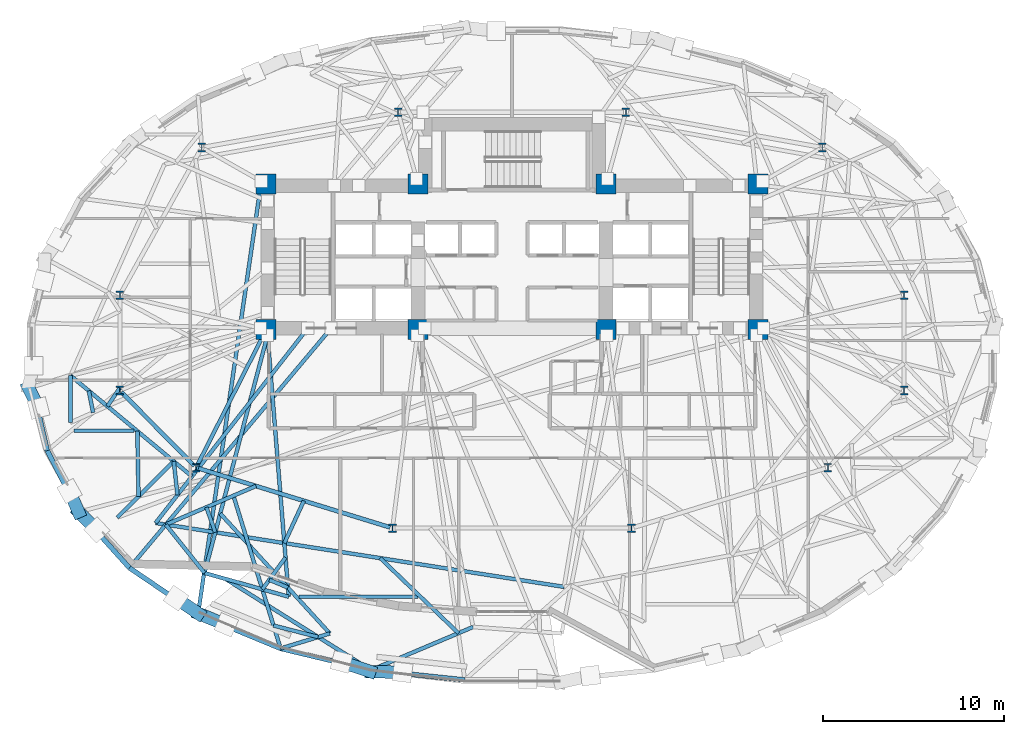
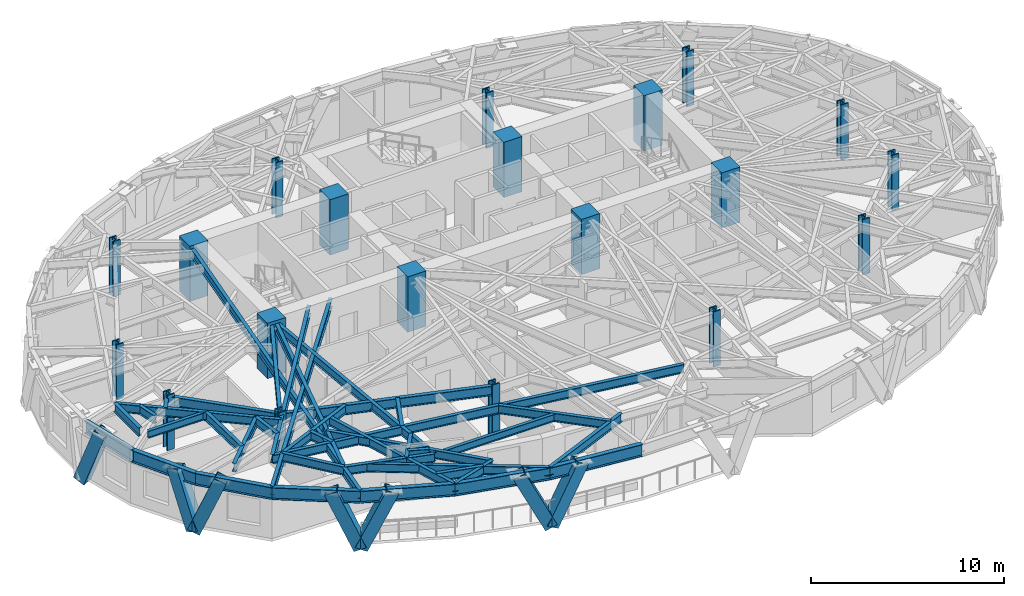
# One storey, part 1 of 15: 39 beams, 20 columns, 7 members.
"""IFC4 building model written with IfcOpenShell, lengths in metres."""

from ifc_helpers import new_model, si_unit, direction, frame, origin, origin_2d, place, context, subcontext, project, spatial, rectangle, hollow_rectangle, i_section, extrude, material, material_profile, profile_set, type_object, element, save


model = new_model("IFC4")

# Units and contexts
model_context = context("Model", 3, precision=1e-05, world=origin(), true_north=direction((0.0, 1.0)))
body_context = subcontext(model_context, "Body", "Model", "MODEL_VIEW")
ifc_project = project(units=[si_unit("LENGTHUNIT", "METRE"), si_unit("AREAUNIT", "SQUARE_METRE"), si_unit("VOLUMEUNIT", "CUBIC_METRE"), si_unit("PLANEANGLEUNIT", "RADIAN"), si_unit("MASSUNIT", "GRAM", prefix="KILO")], contexts=[model_context])

# Site, building, storey
site_placement = place(None, origin())
site = spatial("IfcSite", under=ifc_project, at=site_placement, CompositionType="ELEMENT")
building_placement = place(site_placement, origin())
building = spatial("IfcBuilding", under=site, at=building_placement, Name="Keldmark Tower", CompositionType="ELEMENT")
storey_placement = place(building_placement, frame((0.0, 0.0, 114.10009765625)))
storey = spatial("IfcBuildingStorey", under=building, at=storey_placement, Name="L30", CompositionType="ELEMENT", Elevation=114.10009765625)

# Columns
ifc_material_1 = material(Name="Concrete C70/85", Category="concrete")
ifc_material_profile_1 = material_profile(ifc_material_1, rectangle(XDim=1.10009765625, YDim=1.10009765625, at=origin_2d()), Name="RC1100X1100")
ifc_profile_set_1 = profile_set([ifc_material_profile_1], Name="Concrete C70/85")
column_type_1 = type_object("IfcColumnType", Name="Core Boundary Column RC1100", PredefinedType="COLUMN", material=ifc_profile_set_1)
for number, where, z_axis, x_axis, name in (
    (1, (-13.60009765625, 1.39990234375, 0.0), (0.0, 0.0, 1.0), (1.0, 0.0, 0.0), "L30 Core Boundary Column CC-W1"),
    (2, (-13.60009765625, 9.449951171875, 0.0), (0.0, 0.0, 1.0), (1.0, 0.0, 0.0), "L30 Core Boundary Column CC-W2"),
    (3, (-5.199951171875, 1.39990234375, 0.0), (0.0, 0.0, 1.0), (1.0, 0.0, 0.0), "L30 Core Boundary Column CC-W3"),
    (4, (-5.199951171875, 9.449951171875, 0.0), (0.0, 0.0, 1.0), (1.0, 0.0, 0.0), "L30 Core Boundary Column CC-W4"),
    (5, (5.199951171875, 1.39990234375, 0.0), (0.0, 0.0, 1.0), (1.0, 0.0, 0.0), "L30 Core Boundary Column CC-E1"),
    (6, (5.199951171875, 9.449951171875, 0.0), (0.0, 0.0, 1.0), (1.0, 0.0, 0.0), "L30 Core Boundary Column CC-E2"),
    (7, (13.60009765625, 1.39990234375, 0.0), (0.0, 0.0, 1.0), (1.0, 0.0, 0.0), "L30 Core Boundary Column CC-E3"),
    (8, (13.60009765625, 9.449951171875, 0.0), (0.0, 0.0, 1.0), (1.0, 0.0, 0.0), "L30 Core Boundary Column CC-E4"),
):
    element("IfcColumn", number, at=place(storey_placement, frame(where, z_axis=z_axis, x_axis=x_axis)), inside=storey, type_object=column_type_1, Name=name, PredefinedType="COLUMN", context=body_context, shape_type="SweptSolid", body=[
        extrude(rectangle(XDim=1.10009765625, YDim=1.10009765625, at=origin_2d()), origin(), (0.0, 0.0, 1.0), 3.5),
    ])
ifc_material_2 = material(Name="Steel ASTM A992 Grade 50", Category="steel")
ifc_material_profile_2 = material_profile(ifc_material_2, i_section(OverallWidth=0.424072265625, OverallDepth=0.47412109375, WebThickness=0.047607421875, FlangeThickness=0.0771484375, at=origin_2d()), Name="W14X426")
ifc_profile_set_2 = profile_set([ifc_material_profile_2], Name="Steel ASTM A992 Grade 50")
column_type_2 = type_object("IfcColumnType", Name="Tower Gravity Column W14X426", PredefinedType="COLUMN", material=ifc_profile_set_2)
for number, where, z_axis, x_axis, name in (
    (9, (21.697021484375, 3.309814453125, 0.0), (0.0, 0.0, 1.0), (1.0, 0.0, 0.0), "L30 Tower Gravity Column TC-E1"),
    (10, (17.1669921875, 11.478271484375, 0.0), (0.0, 0.0, 1.0), (1.0, 0.0, 0.0), "L30 Tower Gravity Column TC-E4"),
    (11, (6.298828125, 13.4326171875, 0.0), (0.0, 0.0, 1.0), (1.0, 0.0, 0.0), "L30 Tower Gravity Column TC-N2"),
    (12, (-6.298828125, 13.4326171875, 0.0), (0.0, 0.0, 1.0), (1.0, 0.0, 0.0), "L30 Tower Gravity Column TC-N1"),
    (13, (-17.1669921875, 11.478271484375, 0.0), (0.0, 0.0, 1.0), (1.0, 0.0, 0.0), "L30 Tower Gravity Column TC-W4"),
    (14, (-21.697021484375, 3.309814453125, 0.0), (0.0, 0.0, 1.0), (1.0, 0.0, 0.0), "L30 Tower Gravity Column TC-W1"),
    (15, (-21.697021484375, -1.9658203125, 0.0), (0.0, 0.0, 1.0), (1.0, 0.0, 0.0), "L30 Tower Gravity Column TC-W5"),
    (16, (-17.477294921875, -6.2294921875, 0.0), (0.0, 0.0, 1.0), (1.0, 0.0, 0.0), "L30 Tower Gravity Column TC-W2"),
    (17, (-6.61279296875, -9.579345703125, 0.0), (0.0, 0.0, 1.0), (1.0, 0.0, 0.0), "L30 Tower Gravity Column TC-W3"),
    (18, (6.61279296875, -9.579345703125, 0.0), (0.0, 0.0, 1.0), (1.0, 0.0, 0.0), "L30 Tower Gravity Column TC-E3"),
    (19, (17.477294921875, -6.2294921875, 0.0), (0.0, 0.0, 1.0), (1.0, 0.0, 0.0), "L30 Tower Gravity Column TC-E2"),
    (20, (21.697021484375, -1.9658203125, 0.0), (0.0, 0.0, 1.0), (1.0, 0.0, 0.0), "L30 Tower Gravity Column TC-E5"),
):
    element("IfcColumn", number, at=place(storey_placement, frame(where, z_axis=z_axis, x_axis=x_axis)), inside=storey, type_object=column_type_2, Name=name, PredefinedType="COLUMN", context=body_context, shape_type="SweptSolid", body=[
        extrude(i_section(OverallWidth=0.424072265625, OverallDepth=0.47412109375, WebThickness=0.047607421875, FlangeThickness=0.0771484375, at=origin_2d()), origin(), (0.0, 0.0, 1.0), 3.5),
    ])

# Beams
ifc_material_3 = material(Name="Steel ASTM A992 Grade 50", Category="steel")
ifc_material_profile_3 = material_profile(ifc_material_3, i_section(OverallWidth=0.19091796875, OverallDepth=0.45703125, WebThickness=0.009033203125, FlangeThickness=0.014404296875, at=origin_2d()), Name="W18X50")
ifc_profile_set_3 = profile_set([ifc_material_profile_3], Name="Steel ASTM A992 Grade 50")
beam_type_1 = type_object("IfcBeamType", Name="Composite Floor Joist W18X50", PredefinedType="JOIST", material=ifc_profile_set_3)
beam_1_placement = place(storey_placement, frame((-11.796875, -13.3798828125, 3.081298828125), z_axis=(1.0, 0.0, 0.0), x_axis=(0.0, 1.0, 0.0)))
element("IfcBeam", 21, at=beam_1_placement, inside=storey, type_object=beam_type_1, Name="L30 Composite Floor Joist J01", PredefinedType="JOIST", context=body_context, shape_type="SweptSolid", body=[
    extrude(i_section(OverallWidth=0.19091796875, OverallDepth=0.45703125, WebThickness=0.009033203125, FlangeThickness=0.014404296875, at=origin_2d()), origin(), (0.0, 0.0, 1.0), 6.59912109375),
])
beam_2_placement = place(storey_placement, frame((-24.223876953125, -4.179931640625, 3.081298828125), z_axis=(1.0, 0.0, 0.0), x_axis=(0.0, 1.0, 0.0)))
element("IfcBeam", 22, at=beam_2_placement, inside=storey, type_object=beam_type_1, Name="L30 Composite Floor Joist J05", PredefinedType="JOIST", context=body_context, shape_type="SweptSolid", body=[
    extrude(i_section(OverallWidth=0.19091796875, OverallDepth=0.45703125, WebThickness=0.009033203125, FlangeThickness=0.014404296875, at=origin_2d()), origin(), (0.0, 0.0, 1.0), 3.306884765625),
])

# Members
ifc_material_4 = material(Name="Steel ASTM A572 Grade 50", Category="steel")
ifc_material_profile_4 = material_profile(ifc_material_4, hollow_rectangle(XDim=0.699951171875, YDim=0.699951171875, WallThickness=0.044921875, at=origin_2d()), Name="BOX700X700X45")
ifc_profile_set_4 = profile_set([ifc_material_profile_4], Name="Steel ASTM A572 Grade 50")
member_type = type_object("IfcMemberType", Name="Diagrid Zone 2 Brace BOX700X700X45", PredefinedType="BRACE", material=ifc_profile_set_4)
member_1_placement = place(storey_placement, frame((-26.7607421875, -1.784912109375, -0.27001953125), z_axis=(0.153662842011, -0.312352965982, 0.937455788626), x_axis=(0.897296912259, 0.441427515285, 0.0)))
element("IfcMember", 23, at=member_1_placement, inside=storey, type_object=member_type, Name="L30 Perimeter Diagrid Brace 09A", PredefinedType="BRACE", context=body_context, shape_type="SweptSolid", body=[
    extrude(hollow_rectangle(XDim=0.699951171875, YDim=0.699951171875, WallThickness=0.044921875, at=origin_2d()), origin(), (0.0, 0.0, 1.0), 3.69091796875),
])
member_2_placement = place(storey_placement, frame((-23.97900390625, -8.692626953125, -0.27001953125), z_axis=(-0.136516913065, 0.315115495934, 0.939183345609), x_axis=(-0.91759082275, -0.397526202916, 0.0)))
element("IfcMember", 24, at=member_2_placement, inside=storey, type_object=member_type, Name="L30 Perimeter Diagrid Brace 09B", PredefinedType="BRACE", context=body_context, shape_type="SweptSolid", body=[
    extrude(hollow_rectangle(XDim=0.699951171875, YDim=0.699951171875, WallThickness=0.044921875, at=origin_2d()), origin(), (0.0, 0.0, 1.0), 3.68408203125),
])
member_3_placement = place(storey_placement, frame((-23.9833984375, -8.681640625, -0.27001953125), z_axis=(0.270953589184, -0.267691446285, 0.924621783268), x_axis=(0.702811511408, 0.711376116714, 0.0)))
element("IfcMember", 25, at=member_3_placement, inside=storey, type_object=member_type, Name="L30 Perimeter Diagrid Brace 10A", PredefinedType="BRACE", context=body_context, shape_type="SweptSolid", body=[
    extrude(hollow_rectangle(XDim=0.699951171875, YDim=0.699951171875, WallThickness=0.044921875, at=origin_2d()), origin(), (0.0, 0.0, 1.0), 3.741943359375),
])
member_4_placement = place(storey_placement, frame((-17.32861328125, -14.31494140625, -0.27001953125), z_axis=(-0.333190899241, 0.227765450983, 0.914935366024), x_axis=(-0.564334068534, -0.825546521458, 0.0)))
element("IfcMember", 26, at=member_4_placement, inside=storey, type_object=member_type, Name="L30 Perimeter Diagrid Brace 10B", PredefinedType="BRACE", context=body_context, shape_type="SweptSolid", body=[
    extrude(hollow_rectangle(XDim=0.699951171875, YDim=0.699951171875, WallThickness=0.044921875, at=origin_2d()), origin(), (0.0, 0.0, 1.0), 3.78173828125),
])
member_5_placement = place(storey_placement, frame((-17.3369140625, -14.306640625, -0.27001953125), z_axis=(0.398524163203, -0.163281552325, 0.902506302479), x_axis=(0.379127945729, 0.925344260677, 0.0)))
element("IfcMember", 27, at=member_5_placement, inside=storey, type_object=member_type, Name="L30 Perimeter Diagrid Brace 11A", PredefinedType="BRACE", context=body_context, shape_type="SweptSolid", body=[
    extrude(hollow_rectangle(XDim=0.699951171875, YDim=0.699951171875, WallThickness=0.044921875, at=origin_2d()), origin(), (0.0, 0.0, 1.0), 3.833740234375),
])
member_6_placement = place(storey_placement, frame((-7.833740234375, -17.517822265625, -0.27001953125), z_axis=(-0.416930348672, 0.138934527864, 0.898257358068), x_axis=(-0.316141229693, -0.948712139107, 0.0)))
element("IfcMember", 28, at=member_6_placement, inside=storey, type_object=member_type, Name="L30 Perimeter Diagrid Brace 11B", PredefinedType="BRACE", context=body_context, shape_type="SweptSolid", body=[
    extrude(hollow_rectangle(XDim=0.699951171875, YDim=0.699951171875, WallThickness=0.044921875, at=origin_2d()), origin(), (0.0, 0.0, 1.0), 3.851806640625),
])
member_7_placement = place(storey_placement, frame((-7.844482421875, -17.51318359375, -0.27001953125), z_axis=(0.45957172828, -0.011780676973, 0.888062521569), x_axis=(0.02562561531, 0.99967161, 0.0)))
element("IfcMember", 29, at=member_7_placement, inside=storey, type_object=member_type, Name="L30 Perimeter Diagrid Brace 12A", PredefinedType="BRACE", context=body_context, shape_type="SweptSolid", body=[
    extrude(hollow_rectangle(XDim=0.699951171875, YDim=0.699951171875, WallThickness=0.044921875, at=origin_2d()), origin(), (0.0, 0.0, 1.0), 3.89599609375),
])

# Beams
ifc_material_5 = material(Name="Steel ASTM A992 Grade 50", Category="steel")
ifc_material_profile_5 = material_profile(ifc_material_5, i_section(OverallWidth=0.22900390625, OverallDepth=0.612060546875, WebThickness=0.011962890625, FlangeThickness=0.01953125, at=origin_2d()), Name="W24X84")
ifc_profile_set_5 = profile_set([ifc_material_profile_5], Name="Steel ASTM A992 Grade 50")
beam_type_2 = type_object("IfcBeamType", Name="Primary Floor Girder W24X84", PredefinedType="BEAM", material=ifc_profile_set_5)
beam_3_placement = place(storey_placement, frame((-21.598388671875, -2.0654296875, 3.00390625), z_axis=(0.703425791323, -0.71076870788, 0.0), x_axis=(0.71076870788, 0.703425791323, 0.0)))
element("IfcBeam", 30, at=beam_3_placement, inside=storey, type_object=beam_type_2, Name="L30 Floor Ring Girder FG-R07", PredefinedType="BEAM", context=body_context, shape_type="SweptSolid", body=[
    extrude(i_section(OverallWidth=0.22900390625, OverallDepth=0.612060546875, WebThickness=0.011962890625, FlangeThickness=0.01953125, at=origin_2d()), origin(), (0.0, 0.0, 1.0), 5.71875),
])
beam_4_placement = place(storey_placement, frame((-17.343505859375, -6.270751953125, 3.00390625), z_axis=(0.955607954968, -0.294641199432, 0.0), x_axis=(0.294641199432, 0.955607954968, 0.0)))
element("IfcBeam", 31, at=beam_4_placement, inside=storey, type_object=beam_type_2, Name="L30 Floor Ring Girder FG-R08", PredefinedType="BEAM", context=body_context, shape_type="SweptSolid", body=[
    extrude(i_section(OverallWidth=0.22900390625, OverallDepth=0.612060546875, WebThickness=0.011962890625, FlangeThickness=0.01953125, at=origin_2d()), origin(), (0.0, 0.0, 1.0), 11.089111328125),
])
ifc_material_6 = material(Name="Steel ASTM A992 Grade 50", Category="steel")
ifc_material_profile_6 = material_profile(ifc_material_6, i_section(OverallWidth=0.2099609375, OverallDepth=0.537109375, WebThickness=0.010986328125, FlangeThickness=0.017333984375, at=origin_2d()), Name="W21X68")
ifc_profile_set_6 = profile_set([ifc_material_profile_6], Name="Steel ASTM A992 Grade 50")
beam_type_3 = type_object("IfcBeamType", Name="Radial Tie Girder W21X68", PredefinedType="BEAM", material=ifc_profile_set_6)
beam_5_placement = place(storey_placement, frame((-17.413818359375, -6.104736328125, 3.04150390625), z_axis=(0.453028637759, 0.891495963743, 0.0), x_axis=(-0.891495963743, 0.453028637759, 0.0)))
element("IfcBeam", 32, at=beam_5_placement, inside=storey, type_object=beam_type_3, Name="L30 Floor Radial Girder FG-C08", PredefinedType="BEAM", context=body_context, shape_type="SweptSolid", body=[
    extrude(i_section(OverallWidth=0.2099609375, OverallDepth=0.537109375, WebThickness=0.010986328125, FlangeThickness=0.017333984375, at=origin_2d()), origin(), (0.0, 0.0, 1.0), 8.09814453125),
])
beam_6_placement = place(storey_placement, frame((-24.421875, -1.143798828125, 3.04150390625), z_axis=(0.769460200638, -0.638694762491, 0.0), x_axis=(0.638694762491, 0.769460200638, 0.0)))
element("IfcBeam", 33, at=beam_6_placement, inside=storey, type_object=beam_type_3, Name="L30 Framing Pin Header PH-010", PredefinedType="BEAM", context=body_context, shape_type="SweptSolid", body=[
    extrude(i_section(OverallWidth=0.2099609375, OverallDepth=0.537109375, WebThickness=0.010986328125, FlangeThickness=0.017333984375, at=origin_2d()), origin(), (0.0, 0.0, 1.0), 8.728271484375),
])
beam_7_placement = place(storey_placement, frame((-11.30712890625, 1.47509765625, 3.04150390625), z_axis=(-0.615494248567, -0.788141376899, 0.0), x_axis=(0.788141376899, -0.615494248567, 0.0)))
element("IfcBeam", 34, at=beam_7_placement, inside=storey, type_object=beam_type_3, Name="L30 Sub-Ring Step Girder STP2-M08", PredefinedType="BEAM", context=body_context, shape_type="SweptSolid", body=[
    extrude(i_section(OverallWidth=0.2099609375, OverallDepth=0.537109375, WebThickness=0.010986328125, FlangeThickness=0.017333984375, at=origin_2d()), origin(), (0.0, 0.0, 1.0), 13.66455078125),
])
beam_8_placement = place(storey_placement, frame((-19.717529296875, -9.29443359375, 3.04150390625), z_axis=(0.987987449972, -0.154534134409, 0.0), x_axis=(0.154534134409, 0.987987449972, 0.0)))
element("IfcBeam", 35, at=beam_8_placement, inside=storey, type_object=beam_type_3, Name="L30 Perimeter Collector Ring Beam CRG2-M08", PredefinedType="BEAM", context=body_context, shape_type="SweptSolid", body=[
    extrude(i_section(OverallWidth=0.2099609375, OverallDepth=0.537109375, WebThickness=0.010986328125, FlangeThickness=0.017333984375, at=origin_2d()), origin(), (0.0, 0.0, 1.0), 22.874755859375),
])
beam_9_placement = place(storey_placement, frame((-21.697021484375, -1.825927734375, 3.04150390625), z_axis=(-0.563758723097, -0.825939526922, 0.0), x_axis=(0.825939526922, -0.563758723097, 0.0)))
element("IfcBeam", 36, at=beam_9_placement, inside=storey, type_object=beam_type_3, Name="L30 Framing Pin Header PH-027", PredefinedType="BEAM", context=body_context, shape_type="SweptSolid", body=[
    extrude(i_section(OverallWidth=0.2099609375, OverallDepth=0.537109375, WebThickness=0.010986328125, FlangeThickness=0.017333984375, at=origin_2d()), origin(), (0.0, 0.0, 1.0), 1.220703125),
])
beam_10_placement = place(storey_placement, frame((-24.421875, -1.143798828125, 3.04150390625), z_axis=(-0.004507419701, -0.999989841532, 0.0), x_axis=(0.999989841532, -0.004507419701, 0.0)))
element("IfcBeam", 37, at=beam_10_placement, inside=storey, type_object=beam_type_3, Name="L30 Local Collector Chord RT-18C", PredefinedType="BEAM", context=body_context, shape_type="SweptSolid", body=[
    extrude(i_section(OverallWidth=0.2099609375, OverallDepth=0.537109375, WebThickness=0.010986328125, FlangeThickness=0.017333984375, at=origin_2d()), origin(), (0.0, 0.0, 1.0), 2.599853515625),
])
beam_11_placement = place(storey_placement, frame((-23.41455078125, -1.97998046875, 3.04150390625), z_axis=(0.194128744335, -0.980976060168, 0.0), x_axis=(0.980976060168, 0.194128744335, 0.0)))
element("IfcBeam", 38, at=beam_11_placement, inside=storey, type_object=beam_type_3, Name="L30 Framing Pin Header PH-028", PredefinedType="BEAM", context=body_context, shape_type="SweptSolid", body=[
    extrude(i_section(OverallWidth=0.2099609375, OverallDepth=0.537109375, WebThickness=0.010986328125, FlangeThickness=0.017333984375, at=origin_2d()), origin(), (0.0, 0.0, 1.0), 1.228759765625),
])
beam_12_placement = place(storey_placement, frame((-18.713134765625, -5.882080078125, 3.04150390625), z_axis=(0.10924527601, -0.994014823667, 0.0), x_axis=(0.994014823667, 0.10924527601, 0.0)))
element("IfcBeam", 39, at=beam_12_placement, inside=storey, type_object=beam_type_3, Name="L30 Framing Pin Header PH-029", PredefinedType="BEAM", context=body_context, shape_type="SweptSolid", body=[
    extrude(i_section(OverallWidth=0.2099609375, OverallDepth=0.537109375, WebThickness=0.010986328125, FlangeThickness=0.017333984375, at=origin_2d()), origin(), (0.0, 0.0, 1.0), 1.875),
])
beam_13_placement = place(storey_placement, frame((-18.713134765625, -5.882080078125, 3.04150390625), z_axis=(-0.708962149773, -0.705246531497, 0.0), x_axis=(0.705246531497, -0.708962149773, 0.0)))
element("IfcBeam", 40, at=beam_13_placement, inside=storey, type_object=beam_type_3, Name="L30 Local Collector Chord RT-19C", PredefinedType="BEAM", context=body_context, shape_type="SweptSolid", body=[
    extrude(i_section(OverallWidth=0.2099609375, OverallDepth=0.537109375, WebThickness=0.010986328125, FlangeThickness=0.017333984375, at=origin_2d()), origin(), (0.0, 0.0, 1.0), 4.40234375),
])
beam_14_placement = place(storey_placement, frame((-20.72802734375, -4.209716796875, 3.04150390625), z_axis=(0.018181270614, -0.999834707039, 0.0), x_axis=(0.999834707039, 0.018181270614, 0.0)))
element("IfcBeam", 41, at=beam_14_placement, inside=storey, type_object=beam_type_3, Name="L30 Framing Pin Header PH-030", PredefinedType="BEAM", context=body_context, shape_type="SweptSolid", body=[
    extrude(i_section(OverallWidth=0.2099609375, OverallDepth=0.537109375, WebThickness=0.010986328125, FlangeThickness=0.017333984375, at=origin_2d()), origin(), (0.0, 0.0, 1.0), 3.612060546875),
])
beam_15_placement = place(storey_placement, frame((-14.164306640625, -7.2509765625, 3.04150390625), z_axis=(-0.919479998912, -0.393136784847, 0.0), x_axis=(0.393136784847, -0.919479998912, 0.0)))
element("IfcBeam", 42, at=beam_15_placement, inside=storey, type_object=beam_type_3, Name="L30 Framing Pin Header PH-031", PredefinedType="BEAM", context=body_context, shape_type="SweptSolid", body=[
    extrude(i_section(OverallWidth=0.2099609375, OverallDepth=0.537109375, WebThickness=0.010986328125, FlangeThickness=0.017333984375, at=origin_2d()), origin(), (0.0, 0.0, 1.0), 5.42333984375),
])
beam_16_placement = place(storey_placement, frame((-10.0107421875, 1.47509765625, 3.04150390625), z_axis=(-0.64398772451, -0.765035823135, 0.0), x_axis=(0.765035823135, -0.64398772451, 0.0)))
element("IfcBeam", 43, at=beam_16_placement, inside=storey, type_object=beam_type_3, Name="L30 Perimeter Radial Tie Girder RT-20", PredefinedType="BEAM", context=body_context, shape_type="SweptSolid", body=[
    extrude(i_section(OverallWidth=0.2099609375, OverallDepth=0.537109375, WebThickness=0.010986328125, FlangeThickness=0.017333984375, at=origin_2d()), origin(), (0.0, 0.0, 1.0), 17.321044921875),
])
beam_17_placement = place(storey_placement, frame((-16.906982421875, -8.423583984375, 3.04150390625), z_axis=(0.333791862821, -0.942646801466, 0.0), x_axis=(0.942646801466, 0.333791862821, 0.0)))
element("IfcBeam", 44, at=beam_17_placement, inside=storey, type_object=beam_type_3, Name="L30 Framing Pin Header PH-032", PredefinedType="BEAM", context=body_context, shape_type="SweptSolid", body=[
    extrude(i_section(OverallWidth=0.2099609375, OverallDepth=0.537109375, WebThickness=0.010986328125, FlangeThickness=0.017333984375, at=origin_2d()), origin(), (0.0, 0.0, 1.0), 1.4716796875),
])
beam_18_placement = place(storey_placement, frame((-13.52490234375, 1.10009765625, 3.04150390625), z_axis=(-0.256122216894, -0.966644407222, 0.0), x_axis=(0.966644407222, -0.256122216894, 0.0)))
element("IfcBeam", 45, at=beam_18_placement, inside=storey, type_object=beam_type_3, Name="L30 Intermediate Radial Step Girder RT-21M", PredefinedType="BEAM", context=body_context, shape_type="SweptSolid", body=[
    extrude(i_section(OverallWidth=0.2099609375, OverallDepth=0.537109375, WebThickness=0.010986328125, FlangeThickness=0.017333984375, at=origin_2d()), origin(), (0.0, 0.0, 1.0), 13.61572265625),
])
beam_19_placement = place(storey_placement, frame((-19.15087890625, -9.383056640625, 3.04150390625), z_axis=(0.623965112986, -0.781452198011, 0.0), x_axis=(0.781452198011, 0.623965112986, 0.0)))
element("IfcBeam", 46, at=beam_19_placement, inside=storey, type_object=beam_type_3, Name="L30 Local Collector Chord RT-21C", PredefinedType="BEAM", context=body_context, shape_type="SweptSolid", body=[
    extrude(i_section(OverallWidth=0.2099609375, OverallDepth=0.537109375, WebThickness=0.010986328125, FlangeThickness=0.017333984375, at=origin_2d()), origin(), (0.0, 0.0, 1.0), 3.427490234375),
])
beam_20_placement = place(storey_placement, frame((-13.89990234375, 9.375, 3.04150390625), z_axis=(-0.144732072276, -0.989470882469, 0.0), x_axis=(0.989470882469, -0.144732072276, 0.0)))
element("IfcBeam", 47, at=beam_20_placement, inside=storey, type_object=beam_type_3, Name="L30 Perimeter Radial Tie Girder RT-21", PredefinedType="BEAM", context=body_context, shape_type="SweptSolid", body=[
    extrude(i_section(OverallWidth=0.2099609375, OverallDepth=0.537109375, WebThickness=0.010986328125, FlangeThickness=0.017333984375, at=origin_2d()), origin(), (0.0, 0.0, 1.0), 23.976806640625),
])
beam_21_placement = place(storey_placement, frame((-11.51513671875, -8.06787109375, 3.04150390625), z_axis=(-0.418763825657, -0.908095181311, 0.0), x_axis=(0.908095181311, -0.418763825657, 0.0)))
element("IfcBeam", 48, at=beam_21_placement, inside=storey, type_object=beam_type_3, Name="L30 Framing Pin Header PH-033", PredefinedType="BEAM", context=body_context, shape_type="SweptSolid", body=[
    extrude(i_section(OverallWidth=0.2099609375, OverallDepth=0.537109375, WebThickness=0.010986328125, FlangeThickness=0.017333984375, at=origin_2d()), origin(), (0.0, 0.0, 1.0), 2.577392578125),
])
beam_22_placement = place(storey_placement, frame((-13.52490234375, 1.10009765625, 3.04150390625), z_axis=(0.080582978355, -0.996747903735, 0.0), x_axis=(0.996747903735, 0.080582978355, 0.0)))
element("IfcBeam", 49, at=beam_22_placement, inside=storey, type_object=beam_type_3, Name="L30 Intermediate Radial Step Girder RT-22M", PredefinedType="BEAM", context=body_context, shape_type="SweptSolid", body=[
    extrude(i_section(OverallWidth=0.2099609375, OverallDepth=0.537109375, WebThickness=0.010986328125, FlangeThickness=0.017333984375, at=origin_2d()), origin(), (0.0, 0.0, 1.0), 14.524169921875),
])
beam_23_placement = place(storey_placement, frame((-17.01220703125, -12.0615234375, 3.04150390625), z_axis=(0.962357027998, -0.271788429964, 0.0), x_axis=(0.271788429964, 0.962357027998, 0.0)))
element("IfcBeam", 50, at=beam_23_placement, inside=storey, type_object=beam_type_3, Name="L30 Local Collector Chord RT-22C", PredefinedType="BEAM", context=body_context, shape_type="SweptSolid", body=[
    extrude(i_section(OverallWidth=0.2099609375, OverallDepth=0.537109375, WebThickness=0.010986328125, FlangeThickness=0.017333984375, at=origin_2d()), origin(), (0.0, 0.0, 1.0), 4.83984375),
])
beam_24_placement = place(storey_placement, frame((-12.530029296875, -11.205322265625, 3.04150390625), z_axis=(-0.58876488924, -0.808304339465, 0.0), x_axis=(0.808304339465, -0.58876488924, 0.0)))
element("IfcBeam", 51, at=beam_24_placement, inside=storey, type_object=beam_type_3, Name="L30 Framing Pin Header PH-034", PredefinedType="BEAM", context=body_context, shape_type="SweptSolid", body=[
    extrude(i_section(OverallWidth=0.2099609375, OverallDepth=0.537109375, WebThickness=0.010986328125, FlangeThickness=0.017333984375, at=origin_2d()), origin(), (0.0, 0.0, 1.0), 2.177490234375),
])
beam_25_placement = place(storey_placement, frame((-15.410888671875, -7.783935546875, 3.04150390625), z_axis=(0.294880783072, -0.955534051604, 0.0), x_axis=(0.955534051604, 0.294880783072, 0.0)))
element("IfcBeam", 52, at=beam_25_placement, inside=storey, type_object=beam_type_3, Name="L30 Perimeter Radial Tie Girder RT-22", PredefinedType="BEAM", context=body_context, shape_type="SweptSolid", body=[
    extrude(i_section(OverallWidth=0.2099609375, OverallDepth=0.537109375, WebThickness=0.010986328125, FlangeThickness=0.017333984375, at=origin_2d()), origin(), (0.0, 0.0, 1.0), 8.84716796875),
])
beam_26_placement = place(storey_placement, frame((-13.427490234375, -12.437255859375, 3.04150390625), z_axis=(0.922475331659, -0.386056035416, 0.0), x_axis=(0.386056035416, 0.922475331659, 0.0)))
element("IfcBeam", 53, at=beam_26_placement, inside=storey, type_object=beam_type_3, Name="L30 Framing Pin Header PH-035", PredefinedType="BEAM", context=body_context, shape_type="SweptSolid", body=[
    extrude(i_section(OverallWidth=0.2099609375, OverallDepth=0.537109375, WebThickness=0.010986328125, FlangeThickness=0.017333984375, at=origin_2d()), origin(), (0.0, 0.0, 1.0), 1.11865234375),
])
beam_27_placement = place(storey_placement, frame((-16.140380859375, -8.77099609375, 3.04150390625), z_axis=(0.674581053907, -0.738200786853, 0.0), x_axis=(0.738200786853, 0.674581053907, 0.0)))
element("IfcBeam", 54, at=beam_27_placement, inside=storey, type_object=beam_type_3, Name="L30 Intermediate Radial Step Girder RT-23M", PredefinedType="BEAM", context=body_context, shape_type="SweptSolid", body=[
    extrude(i_section(OverallWidth=0.2099609375, OverallDepth=0.537109375, WebThickness=0.010986328125, FlangeThickness=0.017333984375, at=origin_2d()), origin(), (0.0, 0.0, 1.0), 8.9873046875),
])
beam_28_placement = place(storey_placement, frame((-12.802001953125, -16.23779296875, 3.04150390625), z_axis=(0.9563682022, 0.292164100842, 0.0), x_axis=(-0.292164100842, 0.9563682022, 0.0)))
element("IfcBeam", 55, at=beam_28_placement, inside=storey, type_object=beam_type_3, Name="L30 Local Collector Chord RT-23C", PredefinedType="BEAM", context=body_context, shape_type="SweptSolid", body=[
    extrude(i_section(OverallWidth=0.2099609375, OverallDepth=0.537109375, WebThickness=0.010986328125, FlangeThickness=0.017333984375, at=origin_2d()), origin(), (0.0, 0.0, 1.0), 2.8486328125),
])
beam_29_placement = place(storey_placement, frame((-13.193359375, -14.9697265625, 3.04150390625), z_axis=(0.968701060896, -0.248230245173, 0.0), x_axis=(0.248230245173, 0.968701060896, 0.0)))
element("IfcBeam", 56, at=beam_29_placement, inside=storey, type_object=beam_type_3, Name="L30 Framing Pin Header PH-036", PredefinedType="BEAM", context=body_context, shape_type="SweptSolid", body=[
    extrude(i_section(OverallWidth=0.2099609375, OverallDepth=0.537109375, WebThickness=0.010986328125, FlangeThickness=0.017333984375, at=origin_2d()), origin(), (0.0, 0.0, 1.0), 2.55029296875),
])
beam_30_placement = place(storey_placement, frame((-15.84765625, -12.390380859375, 3.04150390625), z_axis=(0.847304354821, -0.531107644739, 0.0), x_axis=(0.531107644739, 0.847304354821, 0.0)))
element("IfcBeam", 57, at=beam_30_placement, inside=storey, type_object=beam_type_3, Name="L30 Perimeter Radial Tie Girder RT-23", PredefinedType="BEAM", context=body_context, shape_type="SweptSolid", body=[
    extrude(i_section(OverallWidth=0.2099609375, OverallDepth=0.537109375, WebThickness=0.010986328125, FlangeThickness=0.017333984375, at=origin_2d()), origin(), (0.0, 0.0, 1.0), 9.4970703125),
])
beam_31_placement = place(storey_placement, frame((-7.80078125, -17.434326171875, 3.04150390625), z_axis=(0.92109030889, 0.389348998804, 0.0), x_axis=(-0.389348998804, 0.92109030889, 0.0)))
element("IfcBeam", 58, at=beam_31_placement, inside=storey, type_object=beam_type_3, Name="L30 Local Collector Chord RT-24C", PredefinedType="BEAM", context=body_context, shape_type="SweptSolid", body=[
    extrude(i_section(OverallWidth=0.2099609375, OverallDepth=0.537109375, WebThickness=0.010986328125, FlangeThickness=0.017333984375, at=origin_2d()), origin(), (0.0, 0.0, 1.0), 6.13134765625),
])
beam_32_placement = place(storey_placement, frame((-7.28759765625, -11.238525390625, 3.04150390625), z_axis=(0.721378367716, -0.692541154439, 0.0), x_axis=(0.692541154439, 0.721378367716, 0.0)))
element("IfcBeam", 59, at=beam_32_placement, inside=storey, type_object=beam_type_3, Name="L30 Framing Pin Header PH-038", PredefinedType="BEAM", context=body_context, shape_type="SweptSolid", body=[
    extrude(i_section(OverallWidth=0.2099609375, OverallDepth=0.537109375, WebThickness=0.010986328125, FlangeThickness=0.017333984375, at=origin_2d()), origin(), (0.0, 0.0, 1.0), 5.994140625),
])
ifc_material_7 = material(Name="Steel ASTM A992 Grade 50", Category="steel")
ifc_material_profile_7 = material_profile(ifc_material_7, i_section(OverallWidth=0.26806640625, OverallDepth=0.77001953125, WebThickness=0.015625, FlangeThickness=0.025390625, at=origin_2d()), Name="W30X132")
ifc_profile_set_7 = profile_set([ifc_material_profile_7], Name="Steel ASTM A992 Grade 50")
beam_type_4 = type_object("IfcBeamType", Name="Spandrel Ring Beam W30X132", PredefinedType="SPANDREL", material=ifc_profile_set_7)
beam_33_placement = place(storey_placement, frame((-26.52197265625, -1.77099609375, 2.9248046875), z_axis=(0.223307865615, -0.974747965966, 0.0), x_axis=(0.974747965966, 0.223307865615, 0.0)))
element("IfcBeam", 60, at=beam_33_placement, inside=storey, type_object=beam_type_4, Name="L30 Perimeter Spandrel Ring Beam SRB-17", PredefinedType="SPANDREL", context=body_context, shape_type="SweptSolid", body=[
    extrude(i_section(OverallWidth=0.26806640625, OverallDepth=0.77001953125, WebThickness=0.015625, FlangeThickness=0.025390625, at=origin_2d()), origin(), (0.0, 0.0, 1.0), 3.60888671875),
])
beam_34_placement = place(storey_placement, frame((-25.716064453125, -5.288818359375, 2.9248046875), z_axis=(0.461793105614, -0.886987670493, 0.0), x_axis=(0.886987670493, 0.461793105614, 0.0)))
element("IfcBeam", 61, at=beam_34_placement, inside=storey, type_object=beam_type_4, Name="L30 Perimeter Spandrel Ring Beam SRB-18", PredefinedType="SPANDREL", context=body_context, shape_type="SweptSolid", body=[
    extrude(i_section(OverallWidth=0.26806640625, OverallDepth=0.77001953125, WebThickness=0.015625, FlangeThickness=0.025390625, at=origin_2d()), origin(), (0.0, 0.0, 1.0), 3.822265625),
])
beam_35_placement = place(storey_placement, frame((-23.950927734375, -8.67919921875, 2.9248046875), z_axis=(0.668754222456, -0.743483550556, 0.0), x_axis=(0.743483550556, 0.668754222456, 0.0)))
element("IfcBeam", 62, at=beam_35_placement, inside=storey, type_object=beam_type_4, Name="L30 Perimeter Spandrel Ring Beam SRB-19", PredefinedType="SPANDREL", context=body_context, shape_type="SweptSolid", body=[
    extrude(i_section(OverallWidth=0.26806640625, OverallDepth=0.77001953125, WebThickness=0.015625, FlangeThickness=0.025390625, at=origin_2d()), origin(), (0.0, 0.0, 1.0), 4.16552734375),
])
beam_36_placement = place(storey_placement, frame((-21.165283203125, -11.776123046875, 2.9248046875), z_axis=(0.827683347515, -0.561195399345, 0.0), x_axis=(0.561195399345, 0.827683347515, 0.0)))
element("IfcBeam", 63, at=beam_36_placement, inside=storey, type_object=beam_type_4, Name="L30 Perimeter Spandrel Ring Beam SRB-20", PredefinedType="SPANDREL", context=body_context, shape_type="SweptSolid", body=[
    extrude(i_section(OverallWidth=0.26806640625, OverallDepth=0.77001953125, WebThickness=0.015625, FlangeThickness=0.025390625, at=origin_2d()), origin(), (0.0, 0.0, 1.0), 4.585205078125),
])
beam_37_placement = place(storey_placement, frame((-17.3701171875, -14.349365234375, 2.9248046875), z_axis=(0.924147350217, -0.382036222218, 0.0), x_axis=(0.382036222218, 0.924147350217, 0.0)))
element("IfcBeam", 64, at=beam_37_placement, inside=storey, type_object=beam_type_4, Name="L30 Perimeter Spandrel Ring Beam SRB-21", PredefinedType="SPANDREL", context=body_context, shape_type="SweptSolid", body=[
    extrude(i_section(OverallWidth=0.26806640625, OverallDepth=0.77001953125, WebThickness=0.015625, FlangeThickness=0.025390625, at=origin_2d()), origin(), (0.0, 0.0, 1.0), 4.943115234375),
])
beam_38_placement = place(storey_placement, frame((-12.802001953125, -16.23779296875, 2.9248046875), z_axis=(0.972552972063, -0.232681577549, 0.0), x_axis=(0.232681577549, 0.972552972063, 0.0)))
element("IfcBeam", 65, at=beam_38_placement, inside=storey, type_object=beam_type_4, Name="L30 Perimeter Spandrel Ring Beam SRB-22", PredefinedType="SPANDREL", context=body_context, shape_type="SweptSolid", body=[
    extrude(i_section(OverallWidth=0.26806640625, OverallDepth=0.77001953125, WebThickness=0.015625, FlangeThickness=0.025390625, at=origin_2d()), origin(), (0.0, 0.0, 1.0), 5.142333984375),
])
beam_39_placement = place(storey_placement, frame((-7.80078125, -17.434326171875, 2.9248046875), z_axis=(0.994500836495, -0.104728631285, 0.0), x_axis=(0.104728631285, 0.994500836495, 0.0)))
element("IfcBeam", 66, at=beam_39_placement, inside=storey, type_object=beam_type_4, Name="L30 Perimeter Spandrel Ring Beam SRB-23", PredefinedType="SPANDREL", context=body_context, shape_type="SweptSolid", body=[
    extrude(i_section(OverallWidth=0.26806640625, OverallDepth=0.77001953125, WebThickness=0.015625, FlangeThickness=0.025390625, at=origin_2d()), origin(), (0.0, 0.0, 1.0), 5.21728515625),
])

save(model, "model.ifc")
